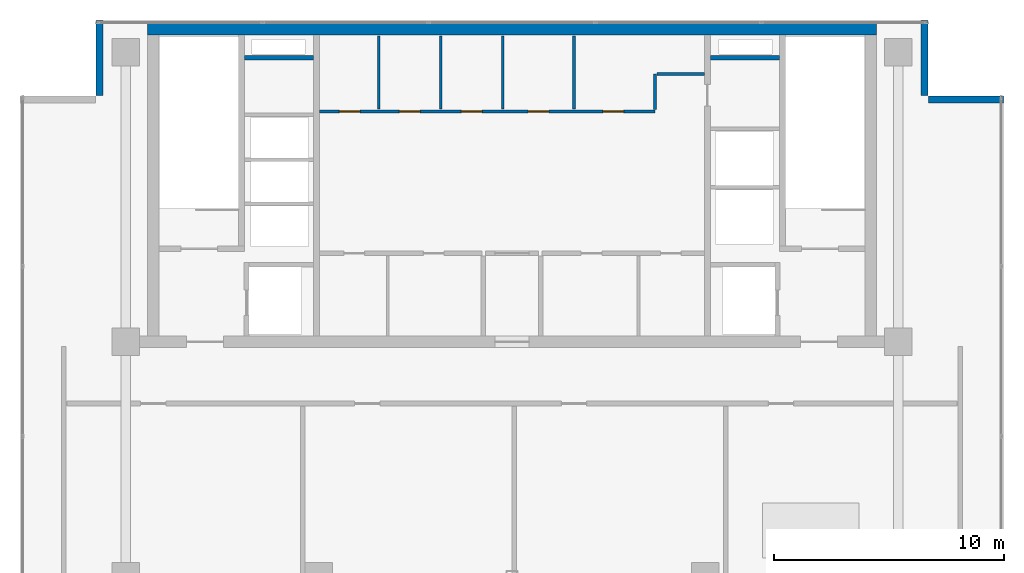
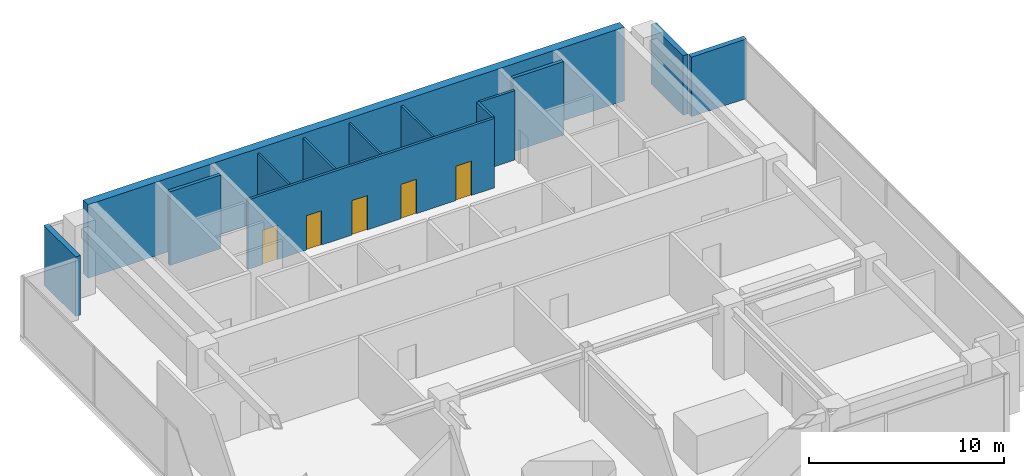
# One storey, part 17 of 19: 13 walls, 5 doors, 5 openings.
"""IFC4 building model written with IfcOpenShell, lengths in metres."""

from ifc_helpers import new_model, si_unit, direction, frame, frame_2d, origin, place, context, subcontext, project, spatial, rectangle, extrude, source, transform, mapped, material, layer, layer_set, type_object, element, fill, save


model = new_model("IFC4")

# Units and contexts
model_context = context("Model", 3, precision=1e-05, world=origin(), true_north=direction((0.0, 1.0)))
body_context = subcontext(model_context, "Body", "Model", "MODEL_VIEW")
ifc_project = project(units=[si_unit("LENGTHUNIT", "METRE"), si_unit("AREAUNIT", "SQUARE_METRE"), si_unit("VOLUMEUNIT", "CUBIC_METRE"), si_unit("PLANEANGLEUNIT", "RADIAN"), si_unit("MASSUNIT", "GRAM", prefix="KILO")], contexts=[model_context])

# Site, building, storey
site_placement = place(None, origin())
site = spatial("IfcSite", under=ifc_project, at=site_placement, CompositionType="ELEMENT")
building_placement = place(site_placement, origin())
building = spatial("IfcBuilding", under=site, at=building_placement, Name="Sumidabori Civic Tower", CompositionType="ELEMENT")
storey_placement = place(building_placement, frame((0.0, 0.0, 293.60009765625)))
storey = spatial("IfcBuildingStorey", under=building, at=storey_placement, Name="L77", CompositionType="ELEMENT", Elevation=293.60009765625)

# Walls
ifc_material_1 = material(Name="Concrete C50/60", Category="concrete")
ifc_layer_1 = layer(ifc_material_1, 0.5, Name="Concrete C50/60")
ifc_layer_set_1 = layer_set([ifc_layer_1], Name="Concrete C50/60")
wall_type_1 = type_object("IfcWallType", Name="WL-CORE-500", PredefinedType="SHEAR", material=ifc_layer_set_1)
shared_shape_1 = source(origin(), body_context, "Body", "SweptSolid", [
    extrude(rectangle(XDim=31.7001953125, YDim=0.5, at=frame_2d((15.85009765625, 0.0))), origin(), (0.0, 0.0, 1.0), 4.599853515625),
])
wall_1_placement = place(storey_placement, frame((-15.85009765625, 23.800048828125, 0.0), z_axis=(0.0, 0.0, 1.0), x_axis=(1.0, 0.0, 0.0)))
element("IfcWall", 1, at=wall_1_placement, inside=storey, type_object=wall_type_1, Name="Core Shear Wall L77 N", PredefinedType="SHEAR", context=body_context, shape_type="MappedRepresentation", body=[
    mapped(shared_shape_1, transform((0.0, 0.0, 0.0), x_axis=(1.0, 0.0, 0.0), y_axis=(0.0, 1.0, 0.0), z_axis=(0.0, 0.0, 1.0), scale=1.0)),
])
ifc_layer_2 = layer(ifc_material_1, 0.199951171875, Name="Concrete C50/60")
ifc_layer_set_2 = layer_set([ifc_layer_2], Name="Concrete C50/60")
wall_type_2 = type_object("IfcWallType", Name="WL-SHAFT-200", PredefinedType="SHEAR", material=ifc_layer_set_2)
shared_shape_2 = source(origin(), body_context, "Body", "SweptSolid", [
    extrude(rectangle(XDim=3.02001953125, YDim=0.199951171875, at=frame_2d((1.510009765625, 0.0))), origin(), (0.0, 0.0, 1.0), 4.599853515625),
])
for number, where, z_axis, x_axis, name in (
    (2, (-11.64501953125, 22.550048828125, 0.0), (0.0, 0.0, 1.0), (1.0, 0.0, 0.0), "Core Shear Wall L77 RIS1-S"),
    (3, (8.625, 22.550048828125, 0.0), (0.0, 0.0, 1.0), (1.0, 0.0, 0.0), "Core Shear Wall L77 RIS2-S"),
):
    element("IfcWall", number, at=place(storey_placement, frame(where, z_axis=z_axis, x_axis=x_axis)), inside=storey, type_object=wall_type_2, Name=name, PredefinedType="SHEAR", context=body_context, shape_type="MappedRepresentation", body=[
        mapped(shared_shape_2, transform((0.0, 0.0, 0.0), x_axis=(1.0, 0.0, 0.0), y_axis=(0.0, 1.0, 0.0), z_axis=(0.0, 0.0, 1.0), scale=1.0)),
    ])
ifc_material_2 = material(Name="Precast concrete C40/50", Category="concrete")
ifc_layer_3 = layer(ifc_material_2, 0.300048828125, Name="Precast concrete C40/50")
ifc_layer_set_3 = layer_set([ifc_layer_3], Name="Precast concrete C40/50")
wall_type_3 = type_object("IfcWallType", Name="WL-EXT-POD300", PredefinedType="STANDARD", material=ifc_layer_set_3)
shared_shape_3 = source(origin(), body_context, "Body", "SweptSolid", [
    extrude(rectangle(XDim=3.260009765625, YDim=0.300048828125, at=frame_2d((1.6298828125, 0.0))), origin(), (0.0, 0.0, 1.0), 3.719970703125),
])
for number, where, z_axis, x_axis, name in (
    (4, (17.949951171875, 20.919921875, 0.0), (0.0, 0.0, 1.0), (0.0, 1.0, 0.0), "Notched Corner Spandrel Band L77-06"),
    (5, (-17.949951171875, 24.179931640625, 0.0), (0.0, 0.0, 1.0), (0.0, -1.0, 0.0), "Notched Corner Spandrel Band L77-08"),
):
    element("IfcWall", number, at=place(storey_placement, frame(where, z_axis=z_axis, x_axis=x_axis)), inside=storey, type_object=wall_type_3, Name=name, PredefinedType="STANDARD", context=body_context, shape_type="MappedRepresentation", body=[
        mapped(shared_shape_3, transform((0.0, 0.0, 0.0), x_axis=(1.0, 0.0, 0.0), y_axis=(0.0, 1.0, 0.0), z_axis=(0.0, 0.0, 1.0), scale=1.0)),
    ])
shared_shape_4 = source(origin(), body_context, "Body", "SweptSolid", [
    extrude(rectangle(XDim=3.259765625, YDim=0.300048828125, at=frame_2d((1.6298828125, 0.0))), origin(), (0.0, 0.0, 1.0), 3.719970703125),
])
wall_2_placement = place(storey_placement, frame((21.3798828125, 20.75, 0.0), z_axis=(0.0, 0.0, 1.0), x_axis=(-1.0, 0.0, 0.0)))
element("IfcWall", 6, at=wall_2_placement, inside=storey, type_object=wall_type_3, Name="Notched Corner Spandrel Band L77-05", PredefinedType="STANDARD", context=body_context, shape_type="MappedRepresentation", body=[
    mapped(shared_shape_4, transform((0.0, 0.0, 0.0), x_axis=(1.0, 0.0, 0.0), y_axis=(0.0, 1.0, 0.0), z_axis=(0.0, 0.0, 1.0), scale=1.0)),
])

# Wall, openings, doors
ifc_material_3 = material(Name="Gypsum Plasterboard Acoustic Partition")
ifc_layer_4 = layer(ifc_material_3, 0.14990234375, Name="Gypsum Plasterboard Acoustic Partition")
ifc_layer_set_4 = layer_set([ifc_layer_4], Name="Gypsum Plasterboard Acoustic Partition")
wall_type_4 = type_object("IfcWallType", Name="WL-PART-150", PredefinedType="PARTITIONING", material=ifc_layer_set_4)
shared_shape_5 = source(origin(), body_context, "Body", "SweptSolid", [
    extrude(rectangle(XDim=14.590087890625, YDim=0.14990234375, at=frame_2d((7.294921875, 0.0))), origin(), (0.0, 0.0, 1.0), 4.33984375),
])
wall_3_placement = place(storey_placement, frame((-8.3701171875, 20.219970703125, 0.0), z_axis=(0.0, 0.0, 1.0), x_axis=(1.0, 0.0, 0.0)))
wall_3 = element("IfcWall", 7, at=wall_3_placement, inside=storey, type_object=wall_type_4, Name="Interior Partition WL:L77:CBAND-M", PredefinedType="PARTITIONING", context=body_context, shape_type="MappedRepresentation", body=[
    mapped(shared_shape_5, transform((0.0, 0.0, 0.0), x_axis=(1.0, 0.0, 0.0), y_axis=(0.0, 1.0, 0.0), z_axis=(0.0, 0.0, 1.0), scale=1.0)),
])
opening_1_placement = place(wall_3_placement, frame((0.860107421875, 0.0, 0.0)))
opening_1 = element("IfcOpeningElement", 8, at=opening_1_placement, cuts=wall_3, Name="Opening DR-1", PredefinedType="OPENING", context=body_context, shape_type="SweptSolid", body=[
    extrude(rectangle(XDim=0.89990234375, YDim=2.14990234375, at=frame_2d((0.449951171875, 1.074951171875))), frame((0.0, 0.0869140625, 0.0), z_axis=(0.0, -1.0, 0.0), x_axis=(1.0, 0.0, 0.0)), (0.0, 0.0, 1.0), 0.173828125),
])
opening_2_placement = place(wall_3_placement, frame((3.469970703125, 0.0, 0.0)))
opening_2 = element("IfcOpeningElement", 9, at=opening_2_placement, cuts=wall_3, Name="Opening DR-1", PredefinedType="OPENING", context=body_context, shape_type="SweptSolid", body=[
    extrude(rectangle(XDim=0.89990234375, YDim=2.14990234375, at=frame_2d((0.449951171875, 1.074951171875))), frame((0.0, 0.0869140625, 0.0), z_axis=(0.0, -1.0, 0.0), x_axis=(1.0, 0.0, 0.0)), (0.0, 0.0, 1.0), 0.173828125),
])
opening_3_placement = place(wall_3_placement, frame((6.169921875, 0.0, 0.0)))
opening_3 = element("IfcOpeningElement", 10, at=opening_3_placement, cuts=wall_3, Name="Opening DR-1", PredefinedType="OPENING", context=body_context, shape_type="SweptSolid", body=[
    extrude(rectangle(XDim=0.89990234375, YDim=2.14990234375, at=frame_2d((0.449951171875, 1.074951171875))), frame((0.0, 0.0869140625, 0.0), z_axis=(0.0, -1.0, 0.0), x_axis=(1.0, 0.0, 0.0)), (0.0, 0.0, 1.0), 0.173828125),
])
opening_4_placement = place(wall_3_placement, frame((9.070068359375, 0.0, 0.0)))
opening_4 = element("IfcOpeningElement", 11, at=opening_4_placement, cuts=wall_3, Name="Opening DR-1", PredefinedType="OPENING", context=body_context, shape_type="SweptSolid", body=[
    extrude(rectangle(XDim=0.89990234375, YDim=2.14990234375, at=frame_2d((0.449951171875, 1.074951171875))), frame((0.0, 0.0869140625, 0.0), z_axis=(0.0, -1.0, 0.0), x_axis=(1.0, 0.0, 0.0)), (0.0, 0.0, 1.0), 0.173828125),
])
opening_5_placement = place(wall_3_placement, frame((12.320068359375, 0.0, 0.0)))
opening_5 = element("IfcOpeningElement", 12, at=opening_5_placement, cuts=wall_3, Name="Opening DR-1", PredefinedType="OPENING", context=body_context, shape_type="SweptSolid", body=[
    extrude(rectangle(XDim=0.89990234375, YDim=2.14990234375, at=frame_2d((0.449951171875, 1.074951171875))), frame((0.0, 0.0869140625, 0.0), z_axis=(0.0, -1.0, 0.0), x_axis=(1.0, 0.0, 0.0)), (0.0, 0.0, 1.0), 0.173828125),
])
ifc_material_4 = material(Name="Japanese Hinoki Timber", Category="wood")
door_type = type_object("IfcDoorType", Name="DR-INT-900", OperationType="NOTDEFINED", PredefinedType="DOOR", material=ifc_material_4)
shared_shape_6 = source(origin(), body_context, "Body", "SweptSolid", [
    extrude(rectangle(XDim=0.89990234375, YDim=2.14990234375, at=frame_2d((0.449951171875, 1.074951171875))), frame((0.0, 0.02490234375, 0.0), z_axis=(0.0, -1.0, 0.0), x_axis=(1.0, 0.0, 0.0)), (0.0, 0.0, 1.0), 0.050048828125),
])
door_1_placement = place(opening_1_placement, origin())
door_1 = element("IfcDoor", 13, at=door_1_placement, inside=storey, type_object=door_type, Name="Door DR:L77:CB-1", OperationType="SINGLE_SWING_LEFT", OverallHeight=2.14990234375, OverallWidth=0.89990234375, PredefinedType="DOOR", context=body_context, shape_type="MappedRepresentation", body=[
    mapped(shared_shape_6, transform((0.0, 0.0, 0.0), x_axis=(1.0, 0.0, 0.0), y_axis=(0.0, 1.0, 0.0), z_axis=(0.0, 0.0, 1.0), scale=1.0)),
])
fill(opening_1, door_1)
door_2_placement = place(opening_2_placement, origin())
door_2 = element("IfcDoor", 14, at=door_2_placement, inside=storey, type_object=door_type, Name="Door DR:L77:CB-2", OperationType="SINGLE_SWING_RIGHT", OverallHeight=2.14990234375, OverallWidth=0.89990234375, PredefinedType="DOOR", context=body_context, shape_type="MappedRepresentation", body=[
    mapped(shared_shape_6, transform((0.0, 0.0, 0.0), x_axis=(1.0, 0.0, 0.0), y_axis=(0.0, 1.0, 0.0), z_axis=(0.0, 0.0, 1.0), scale=1.0)),
])
fill(opening_2, door_2)
door_3_placement = place(opening_3_placement, origin())
door_3 = element("IfcDoor", 15, at=door_3_placement, inside=storey, type_object=door_type, Name="Door DR:L77:CB-3", OperationType="SINGLE_SWING_LEFT", OverallHeight=2.14990234375, OverallWidth=0.89990234375, PredefinedType="DOOR", context=body_context, shape_type="MappedRepresentation", body=[
    mapped(shared_shape_6, transform((0.0, 0.0, 0.0), x_axis=(1.0, 0.0, 0.0), y_axis=(0.0, 1.0, 0.0), z_axis=(0.0, 0.0, 1.0), scale=1.0)),
])
fill(opening_3, door_3)
door_4_placement = place(opening_4_placement, origin())
door_4 = element("IfcDoor", 16, at=door_4_placement, inside=storey, type_object=door_type, Name="Door DR:L77:CB-4", OperationType="SINGLE_SWING_RIGHT", OverallHeight=2.14990234375, OverallWidth=0.89990234375, PredefinedType="DOOR", context=body_context, shape_type="MappedRepresentation", body=[
    mapped(shared_shape_6, transform((0.0, 0.0, 0.0), x_axis=(1.0, 0.0, 0.0), y_axis=(0.0, 1.0, 0.0), z_axis=(0.0, 0.0, 1.0), scale=1.0)),
])
fill(opening_4, door_4)
door_5_placement = place(opening_5_placement, origin())
door_5 = element("IfcDoor", 17, at=door_5_placement, inside=storey, type_object=door_type, Name="Door DR:L77:CB-5", OperationType="SINGLE_SWING_LEFT", OverallHeight=2.14990234375, OverallWidth=0.89990234375, PredefinedType="DOOR", context=body_context, shape_type="MappedRepresentation", body=[
    mapped(shared_shape_6, transform((0.0, 0.0, 0.0), x_axis=(1.0, 0.0, 0.0), y_axis=(0.0, 1.0, 0.0), z_axis=(0.0, 0.0, 1.0), scale=1.0)),
])
fill(opening_5, door_5)

# Walls
shared_shape_7 = source(origin(), body_context, "Body", "SweptSolid", [
    extrude(rectangle(XDim=1.550048828125, YDim=0.14990234375, at=frame_2d((0.77490234375, 0.0))), origin(), (0.0, 0.0, 1.0), 4.33984375),
])
wall_4_placement = place(storey_placement, frame((6.219970703125, 20.300048828125, 0.0), z_axis=(0.0, 0.0, 1.0), x_axis=(0.0, 1.0, 0.0)))
element("IfcWall", 18, at=wall_4_placement, inside=storey, type_object=wall_type_4, Name="Interior Partition WL:L77:CBAND-ME1", PredefinedType="PARTITIONING", context=body_context, shape_type="MappedRepresentation", body=[
    mapped(shared_shape_7, transform((0.0, 0.0, 0.0), x_axis=(1.0, 0.0, 0.0), y_axis=(0.0, 1.0, 0.0), z_axis=(0.0, 0.0, 1.0), scale=1.0)),
])
shared_shape_8 = source(origin(), body_context, "Body", "SweptSolid", [
    extrude(rectangle(XDim=2.070068359375, YDim=0.14990234375, at=frame_2d((1.03515625, 0.0))), origin(), (0.0, 0.0, 1.0), 4.33984375),
])
wall_5_placement = place(storey_placement, frame((6.300048828125, 21.85009765625, 0.0), z_axis=(0.0, 0.0, 1.0), x_axis=(1.0, 0.0, 0.0)))
element("IfcWall", 19, at=wall_5_placement, inside=storey, type_object=wall_type_4, Name="Interior Partition WL:L77:CBAND-ME2", PredefinedType="PARTITIONING", context=body_context, shape_type="MappedRepresentation", body=[
    mapped(shared_shape_8, transform((0.0, 0.0, 0.0), x_axis=(1.0, 0.0, 0.0), y_axis=(0.0, 1.0, 0.0), z_axis=(0.0, 0.0, 1.0), scale=1.0)),
])
ifc_layer_5 = layer(ifc_material_3, 0.1201171875, Name="Gypsum Plasterboard Acoustic Partition")
ifc_layer_set_5 = layer_set([ifc_layer_5], Name="Gypsum Plasterboard Acoustic Partition")
wall_type_5 = type_object("IfcWallType", Name="WL-PART-120", PredefinedType="PARTITIONING", material=ifc_layer_set_5)
shared_shape_9 = source(origin(), body_context, "Body", "SweptSolid", [
    extrude(rectangle(XDim=3.18994140625, YDim=0.1201171875, at=frame_2d((1.594970703125, 0.0))), origin(), (0.0, 0.0, 1.0), 4.33984375),
])
for number, where, z_axis, x_axis, name in (
    (20, (-5.800048828125, 20.320068359375, 0.0), (0.0, 0.0, 1.0), (0.0, 1.0, 0.0), "Interior Partition WL:L77:LV8-S1"),
    (21, (-3.10009765625, 20.320068359375, 0.0), (0.0, 0.0, 1.0), (0.0, 1.0, 0.0), "Interior Partition WL:L77:LV8-S2"),
    (22, (-0.39990234375, 20.320068359375, 0.0), (0.0, 0.0, 1.0), (0.0, 1.0, 0.0), "Interior Partition WL:L77:LV8-S3"),
    (23, (2.699951171875, 20.320068359375, 0.0), (0.0, 0.0, 1.0), (0.0, 1.0, 0.0), "Interior Partition WL:L77:LV8-S4"),
):
    element("IfcWall", number, at=place(storey_placement, frame(where, z_axis=z_axis, x_axis=x_axis)), inside=storey, type_object=wall_type_5, Name=name, PredefinedType="PARTITIONING", context=body_context, shape_type="MappedRepresentation", body=[
        mapped(shared_shape_9, transform((0.0, 0.0, 0.0), x_axis=(1.0, 0.0, 0.0), y_axis=(0.0, 1.0, 0.0), z_axis=(0.0, 0.0, 1.0), scale=1.0)),
    ])

save(model, "model.ifc")
